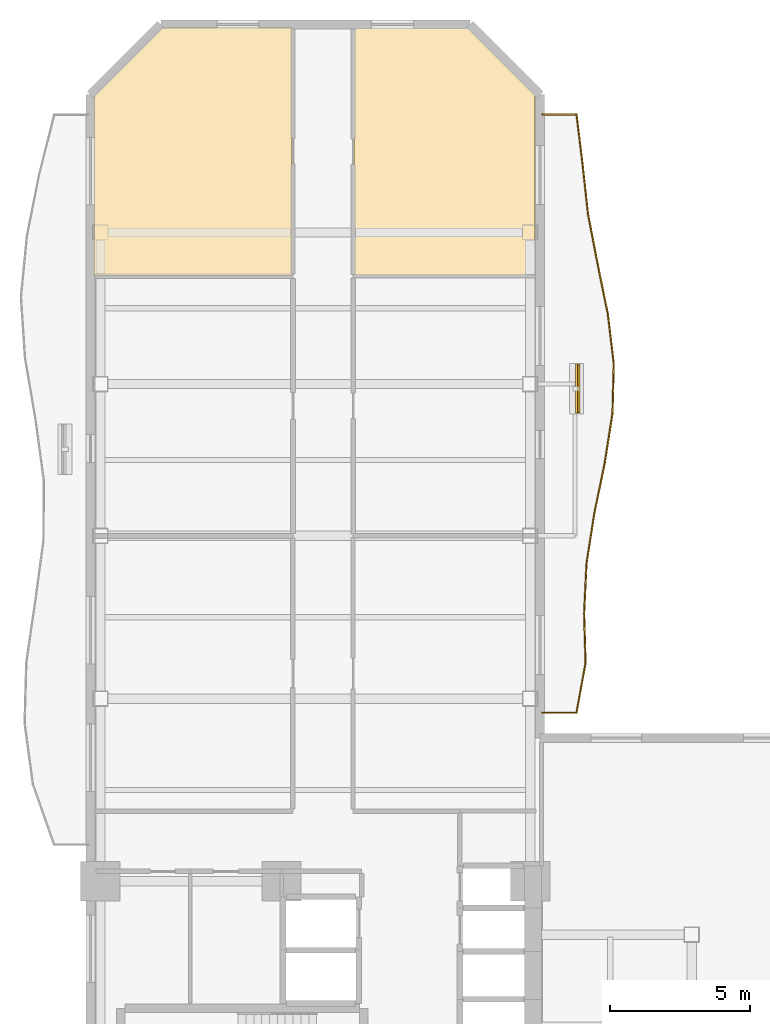
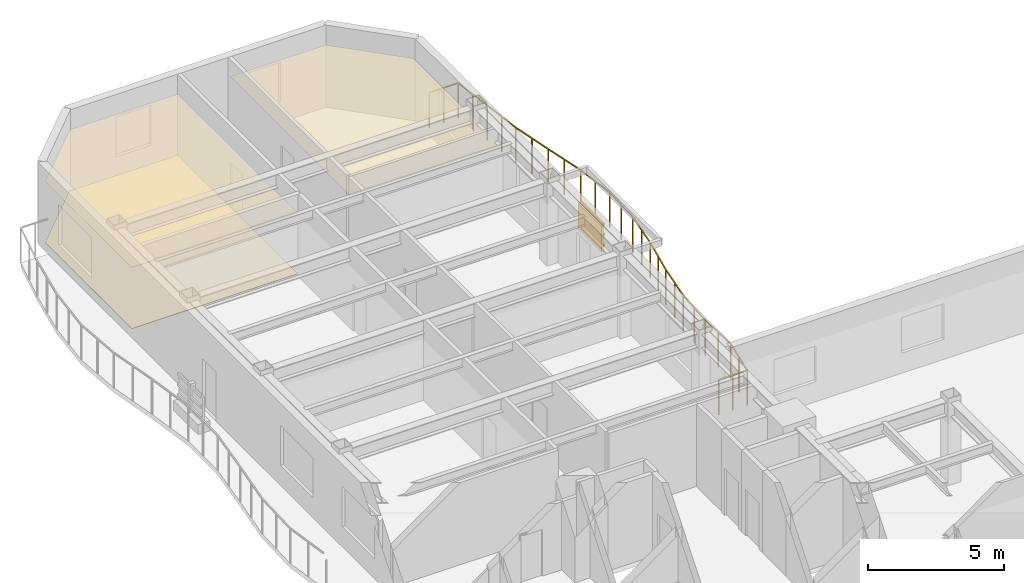
# One storey, part 10 of 10: 4 shading devices, 3 coverings, 1 railing.
"""IFC4 building model written with IfcOpenShell, lengths in metres."""

from ifc_helpers import new_model, si_unit, direction, frame, origin, origin_2d, place, context, subcontext, project, spatial, polyline, rectangle, outline, extrude, material, layer, layer_set, material_profile, profile_set, type_object, element, save


model = new_model("IFC4")

# Units and contexts
model_context = context("Model", 3, precision=1e-05, world=origin(), true_north=direction((0.0, 1.0)))
body_context = subcontext(model_context, "Body", "Model", "MODEL_VIEW")
ifc_project = project(units=[si_unit("LENGTHUNIT", "METRE"), si_unit("AREAUNIT", "SQUARE_METRE"), si_unit("VOLUMEUNIT", "CUBIC_METRE"), si_unit("PLANEANGLEUNIT", "RADIAN"), si_unit("MASSUNIT", "GRAM", prefix="KILO")], contexts=[model_context])

# Site, building, storey
site_placement = place(None, origin())
site = spatial("IfcSite", under=ifc_project, at=site_placement, CompositionType="ELEMENT")
building_placement = place(site_placement, origin())
building = spatial("IfcBuilding", under=site, at=building_placement, Name="Mawjaban Terraces University", CompositionType="ELEMENT")
storey_placement = place(building_placement, frame((0.0, 0.0, 34.89990234375)))
storey = spatial("IfcBuildingStorey", under=building, at=storey_placement, Name="L07", CompositionType="ELEMENT", Elevation=34.89990234375)

# Coverings
ifc_material_1 = material(Name="Acoustic mineral fibre ceiling tile", Category="masonry")
ifc_layer_1 = layer(ifc_material_1, 0.02001953125)
ifc_layer_set_1 = layer_set([ifc_layer_1], Name="Acoustic mineral fibre ceiling tile")
covering_type_1 = type_object("IfcCoveringType", Name="AcousticMineralCeiling_20", PredefinedType="CEILING", material=ifc_layer_set_1)
covering_1_placement = place(storey_placement, frame((0.0, 0.0, 2.75)))
element("IfcCovering", 1, at=covering_1_placement, inside=storey, type_object=covering_type_1, Name="L07 Quiet Reading Room 12 Acoustic Ceiling", PredefinedType="CEILING", context=body_context, shape_type="SweptSolid", body=[
    extrude(outline(polyline([(29.169921875, 53.885009765625), (24.547119140625, 53.885009765625), (22.114990234375, 51.452880859375), (22.114990234375, 45.070068359375), (29.169921875, 45.070068359375), (29.169921875, 53.885009765625)])), origin(), (0.0, 0.0, 1.0), 0.02001953125),
])
covering_2_placement = place(storey_placement, frame((0.0, 0.0, 2.75)))
element("IfcCovering", 2, at=covering_2_placement, inside=storey, type_object=covering_type_1, Name="L07 Collaborative Study Room 13 Acoustic Ceiling", PredefinedType="CEILING", context=body_context, shape_type="SweptSolid", body=[
    extrude(outline(polyline([(37.820068359375, 51.51806640625), (35.452880859375, 53.885009765625), (31.3798828125, 53.885009765625), (31.3798828125, 45.070068359375), (37.820068359375, 45.070068359375), (37.820068359375, 51.51806640625)])), origin(), (0.0, 0.0, 1.0), 0.02001953125),
])

# Railing
ifc_material_2 = material(Name="Galvanised powder-coated steel S355", Category="steel")
railing_type = type_object("IfcRailingType", Name="BalconyBalustrade_1600", PredefinedType="BALUSTRADE", material=ifc_material_2)
railing_placement = place(storey_placement, frame((38.080078125, 29.5, 0.0)))
element("IfcRailing", 3, at=railing_placement, inside=storey, type_object=railing_type, Name="L07 Balcony Guardrail inner_east", PredefinedType="BALUSTRADE", context=body_context, shape_type="SweptSolid", body=[
    extrude(rectangle(XDim=0.048095703125, YDim=0.048095703125, at=origin_2d()), frame((0.0, 0.0, 1.576171875), z_axis=(1.0, 0.0, 0.0), x_axis=(0.0, 1.0, 0.0)), (0.0, 0.0, 1.0), 1.219970703125),
    extrude(rectangle(XDim=0.048095703125, YDim=0.048095703125, at=origin_2d()), frame((1.219970703125, 0.0, 1.576171875), z_axis=(0.179040252349, 0.98384174949, 0.0), x_axis=(-0.98384174949, 0.179040252349, 0.0)), (0.0, 0.0, 1.0), 1.803955078125),
    extrude(rectangle(XDim=0.048095703125, YDim=0.048095703125, at=origin_2d()), frame((1.54296875, 1.77490234375, 1.576171875), z_axis=(-0.029281895776, 0.999571193352, 0.0), x_axis=(-0.999571193352, -0.029281895776, 0.0)), (0.0, 0.0, 1.0), 1.77587890625),
    extrude(rectangle(XDim=0.048095703125, YDim=0.048095703125, at=origin_2d()), frame((1.490966796875, 3.550048828125, 1.576171875), z_axis=(0.048909757879, 0.998803201629, 0.0), x_axis=(-0.998803201629, 0.048909757879, 0.0)), (0.0, 0.0, 1.0), 1.777099609375),
    extrude(rectangle(XDim=0.048095703125, YDim=0.048095703125, at=origin_2d()), frame((1.577880859375, 5.324951171875, 1.576171875), z_axis=(0.154762346011, 0.987951727696, 0.0), x_axis=(-0.987951727696, 0.154762346011, 0.0)), (0.0, 0.0, 1.0), 1.796875),
    extrude(rectangle(XDim=0.048095703125, YDim=0.048095703125, at=origin_2d()), frame((1.85595703125, 7.10009765625, 1.576171875), z_axis=(0.201941800266, 0.979397523637, 0.0), x_axis=(-0.979397523637, 0.201941800266, 0.0)), (0.0, 0.0, 1.0), 1.812255859375),
    extrude(rectangle(XDim=0.048095703125, YDim=0.048095703125, at=origin_2d()), frame((2.221923828125, 8.875, 1.576171875), z_axis=(0.155313609434, 0.987865214857, 0.0), x_axis=(-0.987865214857, 0.155313609434, 0.0)), (0.0, 0.0, 1.0), 1.796630859375),
    extrude(rectangle(XDim=0.048095703125, YDim=0.048095703125, at=origin_2d()), frame((2.5009765625, 10.64990234375, 1.576171875), z_axis=(0.025847502232, 0.999665897502, 0.0), x_axis=(-0.999665897502, 0.025847502232, 0.0)), (0.0, 0.0, 1.0), 1.775634765625),
    extrude(rectangle(XDim=0.048095703125, YDim=0.048095703125, at=origin_2d()), frame((2.546875, 12.425048828125, 1.576171875), z_axis=(-0.118552771619, 0.992947753077, 0.0), x_axis=(-0.992947753077, -0.118552771619, 0.0)), (0.0, 0.0, 1.0), 1.78759765625),
    extrude(rectangle(XDim=0.048095703125, YDim=0.048095703125, at=origin_2d()), frame((2.3349609375, 14.199951171875, 1.576171875), z_axis=(-0.200363902893, 0.979721545347, 0.0), x_axis=(-0.979721545347, -0.200363902893, 0.0)), (0.0, 0.0, 1.0), 1.811767578125),
    extrude(rectangle(XDim=0.048095703125, YDim=0.048095703125, at=origin_2d()), frame((1.971923828125, 15.97509765625, 1.576171875), z_axis=(-0.189228108876, 0.981933155979, 0.0), x_axis=(-0.981933155979, -0.189228108876, 0.0)), (0.0, 0.0, 1.0), 1.8076171875),
    extrude(rectangle(XDim=0.048095703125, YDim=0.048095703125, at=origin_2d()), frame((1.6298828125, 17.75, 1.576171875), z_axis=(-0.108570355093, 0.994088767664, 0.0), x_axis=(-0.994088767664, -0.108570355093, 0.0)), (0.0, 0.0, 1.0), 1.785400390625),
    extrude(rectangle(XDim=0.048095703125, YDim=0.048095703125, at=origin_2d()), frame((1.43603515625, 19.52490234375, 1.576171875), z_axis=(-0.120824696232, 0.992673860228, 0.0), x_axis=(-0.992673860228, -0.120824696232, 0.0)), (0.0, 0.0, 1.0), 1.788330078125),
    extrude(rectangle(XDim=0.048095703125, YDim=0.048095703125, at=origin_2d()), frame((1.219970703125, 21.300048828125, 1.576171875), z_axis=(-1.0, 0.0, 0.0), x_axis=(0.0, -1.0, 0.0)), (0.0, 0.0, 1.0), 1.219970703125),
    extrude(rectangle(XDim=0.0419921875, YDim=0.0419921875, at=origin_2d()), origin(), (0.0, 0.0, 1.0), 1.552001953125),
    extrude(rectangle(XDim=0.0419921875, YDim=0.0419921875, at=origin_2d()), frame((0.60986328125, 0.0, 0.0)), (0.0, 0.0, 1.0), 1.552001953125),
    extrude(rectangle(XDim=0.0419921875, YDim=0.0419921875, at=origin_2d()), frame((1.219970703125, 0.0, 0.0)), (0.0, 0.0, 1.0), 1.552001953125),
    extrude(rectangle(XDim=0.0419921875, YDim=0.0419921875, at=origin_2d()), frame((1.38134765625, 0.887451171875, 0.0)), (0.0, 0.0, 1.0), 1.552001953125),
    extrude(rectangle(XDim=0.0419921875, YDim=0.0419921875, at=origin_2d()), frame((1.54296875, 1.77490234375, 0.0)), (0.0, 0.0, 1.0), 1.552001953125),
    extrude(rectangle(XDim=0.0419921875, YDim=0.0419921875, at=origin_2d()), frame((1.51708984375, 2.66259765625, 0.0)), (0.0, 0.0, 1.0), 1.552001953125),
    extrude(rectangle(XDim=0.0419921875, YDim=0.0419921875, at=origin_2d()), frame((1.490966796875, 3.550048828125, 0.0)), (0.0, 0.0, 1.0), 1.552001953125),
    extrude(rectangle(XDim=0.0419921875, YDim=0.0419921875, at=origin_2d()), frame((1.534423828125, 4.4375, 0.0)), (0.0, 0.0, 1.0), 1.552001953125),
    extrude(rectangle(XDim=0.0419921875, YDim=0.0419921875, at=origin_2d()), frame((1.577880859375, 5.324951171875, 0.0)), (0.0, 0.0, 1.0), 1.552001953125),
    extrude(rectangle(XDim=0.0419921875, YDim=0.0419921875, at=origin_2d()), frame((1.716796875, 6.21240234375, 0.0)), (0.0, 0.0, 1.0), 1.552001953125),
    extrude(rectangle(XDim=0.0419921875, YDim=0.0419921875, at=origin_2d()), frame((1.85595703125, 7.10009765625, 0.0)), (0.0, 0.0, 1.0), 1.552001953125),
    extrude(rectangle(XDim=0.0419921875, YDim=0.0419921875, at=origin_2d()), frame((2.0390625, 7.987548828125, 0.0)), (0.0, 0.0, 1.0), 1.552001953125),
    extrude(rectangle(XDim=0.0419921875, YDim=0.0419921875, at=origin_2d()), frame((2.221923828125, 8.875, 0.0)), (0.0, 0.0, 1.0), 1.552001953125),
    extrude(rectangle(XDim=0.0419921875, YDim=0.0419921875, at=origin_2d()), frame((2.361328125, 9.762451171875, 0.0)), (0.0, 0.0, 1.0), 1.552001953125),
    extrude(rectangle(XDim=0.0419921875, YDim=0.0419921875, at=origin_2d()), frame((2.5009765625, 10.64990234375, 0.0)), (0.0, 0.0, 1.0), 1.552001953125),
    extrude(rectangle(XDim=0.0419921875, YDim=0.0419921875, at=origin_2d()), frame((2.52392578125, 11.53759765625, 0.0)), (0.0, 0.0, 1.0), 1.552001953125),
    extrude(rectangle(XDim=0.0419921875, YDim=0.0419921875, at=origin_2d()), frame((2.546875, 12.425048828125, 0.0)), (0.0, 0.0, 1.0), 1.552001953125),
    extrude(rectangle(XDim=0.0419921875, YDim=0.0419921875, at=origin_2d()), frame((2.44091796875, 13.3125, 0.0)), (0.0, 0.0, 1.0), 1.552001953125),
    extrude(rectangle(XDim=0.0419921875, YDim=0.0419921875, at=origin_2d()), frame((2.3349609375, 14.199951171875, 0.0)), (0.0, 0.0, 1.0), 1.552001953125),
    extrude(rectangle(XDim=0.0419921875, YDim=0.0419921875, at=origin_2d()), frame((2.1533203125, 15.08740234375, 0.0)), (0.0, 0.0, 1.0), 1.552001953125),
    extrude(rectangle(XDim=0.0419921875, YDim=0.0419921875, at=origin_2d()), frame((1.971923828125, 15.97509765625, 0.0)), (0.0, 0.0, 1.0), 1.552001953125),
    extrude(rectangle(XDim=0.0419921875, YDim=0.0419921875, at=origin_2d()), frame((1.80078125, 16.862548828125, 0.0)), (0.0, 0.0, 1.0), 1.552001953125),
    extrude(rectangle(XDim=0.0419921875, YDim=0.0419921875, at=origin_2d()), frame((1.6298828125, 17.75, 0.0)), (0.0, 0.0, 1.0), 1.552001953125),
    extrude(rectangle(XDim=0.0419921875, YDim=0.0419921875, at=origin_2d()), frame((1.532958984375, 18.637451171875, 0.0)), (0.0, 0.0, 1.0), 1.552001953125),
    extrude(rectangle(XDim=0.0419921875, YDim=0.0419921875, at=origin_2d()), frame((1.43603515625, 19.52490234375, 0.0)), (0.0, 0.0, 1.0), 1.552001953125),
    extrude(rectangle(XDim=0.0419921875, YDim=0.0419921875, at=origin_2d()), frame((1.328125, 20.41259765625, 0.0)), (0.0, 0.0, 1.0), 1.552001953125),
    extrude(rectangle(XDim=0.0419921875, YDim=0.0419921875, at=origin_2d()), frame((1.219970703125, 21.300048828125, 0.0)), (0.0, 0.0, 1.0), 1.552001953125),
    extrude(rectangle(XDim=0.0419921875, YDim=0.0419921875, at=origin_2d()), frame((0.60986328125, 21.300048828125, 0.0)), (0.0, 0.0, 1.0), 1.552001953125),
    extrude(rectangle(XDim=0.0419921875, YDim=0.0419921875, at=origin_2d()), frame((0.0, 21.300048828125, 0.0)), (0.0, 0.0, 1.0), 1.552001953125),
])

# Shading devices
ifc_material_3 = material(Name="Glazed architectural terracotta ceramic", Category="masonry")
ifc_material_profile = material_profile(ifc_material_3, rectangle(XDim=0.06494140625, YDim=0.110107421875, at=origin_2d()), Name="TBAG110X65")
ifc_profile_set = profile_set([ifc_material_profile], Name="Glazed architectural terracotta ceramic")
shading_device_type_1 = type_object("IfcShadingDeviceType", Name="TerracottaBaguette_110x65", PredefinedType="USERDEFINED", material=ifc_profile_set)
for number, where, z_axis, x_axis, name in (
    (4, (39.382080078125, 40.18701171875, 0.68017578125), (0.0, 1.0, 0.0), (-1.0, 0.0, 0.0), "L07 Horizontal Terracotta Baguette inner_east.1"),
    (5, (39.382080078125, 40.18701171875, 1.150146484375), (0.0, 1.0, 0.0), (-1.0, 0.0, 0.0), "L07 Horizontal Terracotta Baguette inner_east.2"),
    (6, (39.382080078125, 40.18701171875, 1.6201171875), (0.0, 1.0, 0.0), (-1.0, 0.0, 0.0), "L07 Horizontal Terracotta Baguette inner_east.3"),
):
    element("IfcShadingDevice", number, at=place(storey_placement, frame(where, z_axis=z_axis, x_axis=x_axis)), inside=storey, type_object=shading_device_type_1, Name=name, ObjectType="BAGUETTE", PredefinedType="USERDEFINED", context=body_context, shape_type="SweptSolid", body=[
        extrude(rectangle(XDim=0.06494140625, YDim=0.110107421875, at=origin_2d()), origin(), (0.0, 0.0, 1.0), 1.699951171875),
    ])
ifc_layer_2 = layer(ifc_material_3, 0.080078125)
ifc_layer_set_2 = layer_set([ifc_layer_2], Name="Glazed architectural terracotta ceramic")
shading_device_type_2 = type_object("IfcShadingDeviceType", Name="TerracottaScreen_Perforated", PredefinedType="USERDEFINED", material=ifc_layer_set_2)
shading_device_placement = place(storey_placement, frame((39.297119140625, 41.037109375, 0.440185546875), z_axis=(0.0, 0.0, 1.0), x_axis=(0.0, 1.0, 0.0)))
element("IfcShadingDevice", 7, at=shading_device_placement, inside=storey, type_object=shading_device_type_2, Name="L07 Balcony Perforated Terracotta Screen inner_east", ObjectType="SCREEN", PredefinedType="USERDEFINED", context=body_context, shape_type="SweptSolid", body=[
    extrude(rectangle(XDim=1.75, YDim=0.080078125, at=origin_2d()), origin(), (0.0, 0.0, 1.0), 1.14990234375),
])

# Covering
ifc_material_4 = material(Name="Polished Hijazi granite terrazzo flooring", Category="masonry")
ifc_layer_3 = layer(ifc_material_4, 0.02490234375)
ifc_layer_set_3 = layer_set([ifc_layer_3], Name="Polished Hijazi granite terrazzo flooring")
covering_type_2 = type_object("IfcCoveringType", Name="TerrazzoConcourseFlooring_25", PredefinedType="FLOORING", material=ifc_layer_set_3)
covering_3_placement = place(storey_placement, origin())
element("IfcCovering", 8, at=covering_3_placement, inside=storey, type_object=covering_type_2, Name="L07 Quiet Reading Room 12 Terrazzo Flooring", PredefinedType="FLOORING", context=body_context, shape_type="SweptSolid", body=[
    extrude(outline(polyline([(29.169921875, 53.885009765625), (24.547119140625, 53.885009765625), (22.114990234375, 51.452880859375), (22.114990234375, 45.070068359375), (29.169921875, 45.070068359375), (29.169921875, 53.885009765625)])), origin(), (0.0, 0.0, 1.0), 0.025146484375),
])

save(model, "model.ifc")
